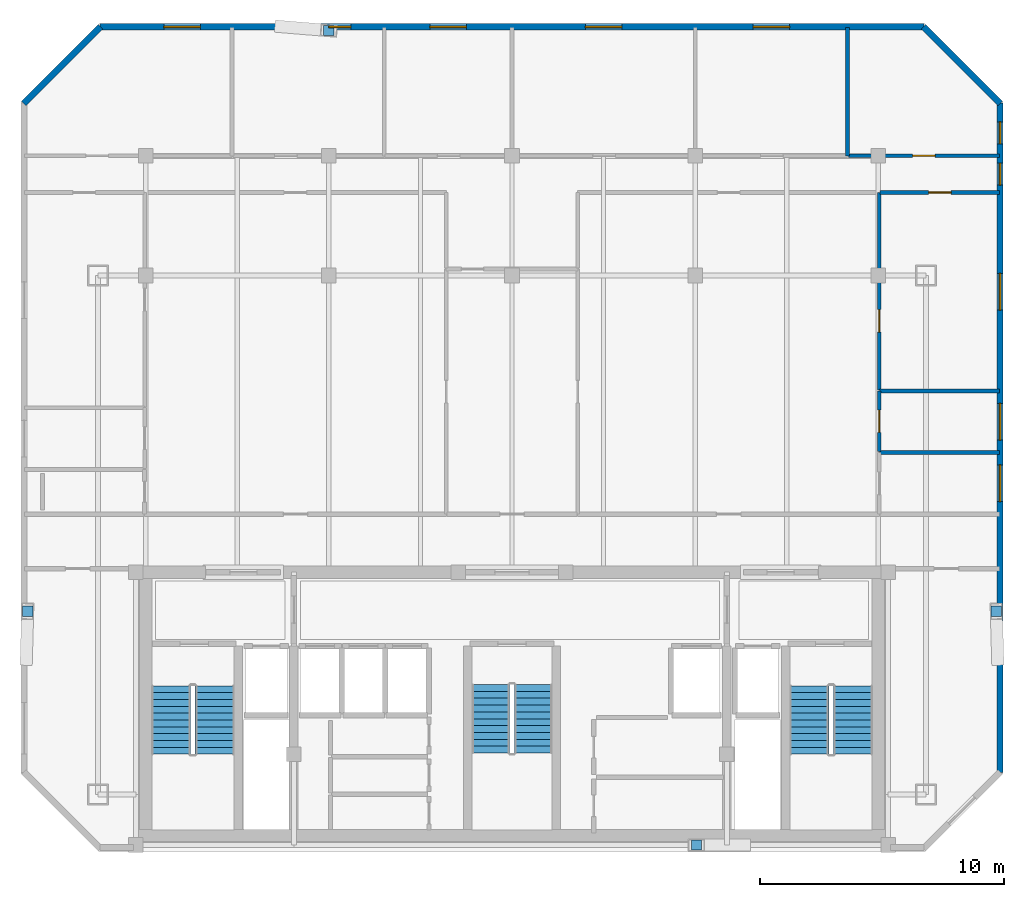
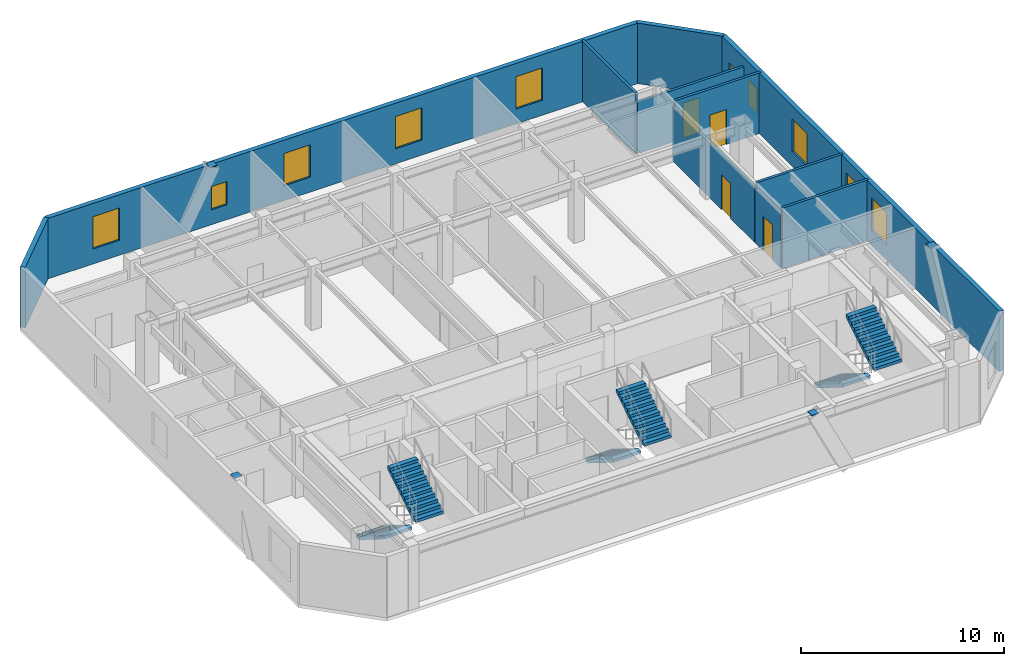
# One storey, part 5 of 6: 11 walls, 10 windows, 6 stair flights, 4 discrete accessories, 4 doors, 14 openings, 3 elements without a shape of their own.
"""IFC4 building model written with IfcOpenShell, lengths in metres."""

import ifcopenshell
import ifcopenshell.guid

model = None  # the IFC model being written
_history = None  # IfcOwnerHistory: only IFC2X3 demands one
_inside = {}  # id of a spatial element -> (the spatial element, [elements in it])
_under = {}  # id of a project, library or spatial element -> (it, [spatial elements below it])
_declared = {}  # id of a project -> (the project, [libraries it declares])
_typed = {}  # id of a type object -> (the type object, [elements of that type])
_made_of = {}  # id of a material, layer set ... -> (it, [elements and type objects made of it])


def new_model(schema):
    """Start an empty IFC model of exactly this schema.

    Asked for "IFC4X3", IfcOpenShell would pick the latest addendum, in which some entities
    have other attributes; the version numbers below select the first issue.
    IFC2X3 requires an IfcOwnerHistory on every rooted entity: one is made here for all.
    """
    global model, _history
    if schema == "IFC4X3":
        model = ifcopenshell.file(schema_version=(4, 3, 0, 0))
    else:
        model = ifcopenshell.file(schema=schema)
    _inside.clear()
    _under.clear()
    _declared.clear()
    _typed.clear()
    _made_of.clear()
    _history = None
    if model.schema == "IFC2X3":
        org = make("IfcOrganization", Name="unknown")
        user = make(
            "IfcPersonAndOrganization",
            ThePerson=make("IfcPerson", FamilyName="unknown"),
            TheOrganization=org,
        )
        app = make(
            "IfcApplication",
            ApplicationDeveloper=org,
            Version="unknown",
            ApplicationFullName="unknown",
            ApplicationIdentifier="unknown",
        )
        _history = make(
            "IfcOwnerHistory",
            OwningUser=user,
            OwningApplication=app,
            ChangeAction="ADDED",
            CreationDate=0,
        )
    return model


def make(cls, **values):
    """One entity of the class cls with the attributes given. An attribute that is None is left unset."""
    return model.create_entity(
        cls, **{name: value for name, value in values.items() if value is not None}
    )


def rooted(cls, **values):
    """An entity with a GlobalId (a new one), such as an element, a storey or a relation."""
    return make(cls, GlobalId=ifcopenshell.guid.new(), OwnerHistory=_history, **values)


def si_unit(unit_type, name, prefix=None):
    """IfcSIUnit, for example si_unit("LENGTHUNIT", "METRE", prefix="MILLI")."""
    return make("IfcSIUnit", UnitType=unit_type, Prefix=prefix, Name=name)


def assignment(units):
    """IfcUnitAssignment: the units of a project."""
    return None if units is None else make("IfcUnitAssignment", Units=units)


def point(xyz):
    """IfcCartesianPoint."""
    return None if xyz is None else make("IfcCartesianPoint", Coordinates=xyz)


def direction(xyz):
    """IfcDirection."""
    return None if xyz is None else make("IfcDirection", DirectionRatios=xyz)


def frame(location, z_axis=None, x_axis=None):
    """IfcAxis2Placement3D, a coordinate frame: its origin and axes. An axis left out is left unset."""
    return make(
        "IfcAxis2Placement3D",
        Location=point(location),
        Axis=direction(z_axis),
        RefDirection=direction(x_axis),
    )


def frame_2d(location, x_axis=None):
    """IfcAxis2Placement2D, a coordinate frame in the plane: its origin and x axis."""
    return make(
        "IfcAxis2Placement2D", Location=point(location), RefDirection=direction(x_axis)
    )


def origin():
    """The frame at (0, 0, 0) with its axes left unset."""
    return frame((0.0, 0.0, 0.0))


def origin_2d():
    """The frame at (0, 0) in the plane with its x axis left unset."""
    return frame_2d((0.0, 0.0))


def place(relative_to, where):
    """IfcLocalPlacement: puts the frame where relative to a parent placement (None: the world)."""
    return make(
        "IfcLocalPlacement", PlacementRelTo=relative_to, RelativePlacement=where
    )


def context(
    kind, dimensions, precision=None, world=None, true_north=None, identifier=None
):
    """IfcGeometricRepresentationContext, for example the 3D "Model" context."""
    return make(
        "IfcGeometricRepresentationContext",
        ContextIdentifier=identifier,
        ContextType=kind,
        CoordinateSpaceDimension=dimensions,
        Precision=precision,
        WorldCoordinateSystem=world,
        TrueNorth=true_north,
    )


def subcontext(parent, identifier, kind, view, scale=None):
    """IfcGeometricRepresentationSubContext, for example "Body" below "Model"."""
    return make(
        "IfcGeometricRepresentationSubContext",
        ContextIdentifier=identifier,
        ContextType=kind,
        ParentContext=parent,
        TargetScale=scale,
        TargetView=view,
    )


def project(units=None, contexts=None):
    """IfcProject with its units and contexts."""
    return rooted(
        "IfcProject",
        Name="project",
        RepresentationContexts=contexts,
        UnitsInContext=assignment(units),
    )


def spatial(cls, under=None, at=None, **own):
    """A site, building, storey or space (cls), placed at a placement, below another one or the project."""
    s = rooted(cls, ObjectPlacement=at, **own)
    if under is not None:
        _under.setdefault(under.id(), (under, []))[1].append(s)
    return s


def polyline(points):
    """IfcPolyline through the points."""
    return make("IfcPolyline", Points=[point(p) for p in points])


def profile(cls, at=None, kind="AREA", **sizes):
    """A parametric profile (cls). Its sizes go by their IFC names, for example OverallWidth=200.0."""
    return make(cls, ProfileType=kind, Position=at, **sizes)


def rectangle(**sizes):
    """IfcRectangleProfileDef."""
    return profile("IfcRectangleProfileDef", **sizes)


def outline(outer, holes=None, kind="AREA"):
    """IfcArbitraryClosedProfileDef: a profile drawn as a closed curve; with holes, ...WithVoids."""
    if holes is None:
        return make("IfcArbitraryClosedProfileDef", ProfileType=kind, OuterCurve=outer)
    return make(
        "IfcArbitraryProfileDefWithVoids",
        ProfileType=kind,
        OuterCurve=outer,
        InnerCurves=holes,
    )


def extrude(swept, where, along, depth):
    """IfcExtrudedAreaSolid: the profile swept, set in the frame where, extruded along a direction by depth."""
    return make(
        "IfcExtrudedAreaSolid",
        SweptArea=swept,
        Position=where,
        ExtrudedDirection=direction(along),
        Depth=depth,
    )


def shape(context_of_items, identifier, shape_type, items):
    """IfcShapeRepresentation: the items that make up one representation, for example the "Body"."""
    return make(
        "IfcShapeRepresentation",
        ContextOfItems=context_of_items,
        RepresentationIdentifier=identifier,
        RepresentationType=shape_type,
        Items=items,
    )


def material(Name=None, Category=None):
    """IfcMaterial."""
    return make("IfcMaterial", Name=Name, Category=Category)


def layer(
    of_material, thickness, ventilated=None, Name=None, Category=None, Priority=None
):
    """IfcMaterialLayer: one layer of a wall or slab, of a material (None: an air gap)."""
    return make(
        "IfcMaterialLayer",
        Material=of_material,
        LayerThickness=thickness,
        IsVentilated=ventilated,
        Name=Name,
        Category=Category,
        Priority=Priority,
    )


def layer_set(layers, Name=None):
    """IfcMaterialLayerSet."""
    return make("IfcMaterialLayerSet", MaterialLayers=layers, LayerSetName=Name)


def made_of(thing, what):
    """Note that an element or type object is made of a material, layer set ...; save() writes the relation."""
    if what is not None:
        _made_of.setdefault(what.id(), (what, []))[1].append(thing)
    return thing


def type_object(cls, material=None, **own):
    """A type object (cls), such as IfcWallType, which elements share."""
    return made_of(rooted(cls, **own), material)


def element(
    cls,
    number,
    at=None,
    inside=None,
    cuts=None,
    type_object=None,
    material=None,
    context=None,
    identifier="Body",
    shape_type=None,
    held_by="IfcProductDefinitionShape",
    body=None,
    shapes=None,
    **own,
):
    """One element of the class cls, such as IfcWall. Its Tag is "e" and its number.

    at: its placement. inside: the storey or other place that contains it. cuts: it is an
    opening in that element (IfcRelVoidsElement). A single representation is given by context,
    identifier, shape_type and body (its items); several are given by shapes. held_by: the class
    of the entity that holds the representations. save() writes the other relations.
    """
    e = rooted(cls, Tag="e%d" % number, ObjectPlacement=at, **own)
    if body is not None:
        shapes = [shape(context, identifier, shape_type, body)]
    if shapes is not None:
        e.Representation = make(held_by, Representations=shapes)
    if inside is not None:
        _inside.setdefault(inside.id(), (inside, []))[1].append(e)
    if cuts is not None:
        rooted(
            "IfcRelVoidsElement", RelatingBuildingElement=cuts, RelatedOpeningElement=e
        )
    if type_object is not None:
        _typed.setdefault(type_object.id(), (type_object, []))[1].append(e)
    return made_of(e, material)


def fill(opening, filler):
    """IfcRelFillsElement: the door or window that sits in an opening."""
    return rooted(
        "IfcRelFillsElement",
        RelatingOpeningElement=opening,
        RelatedBuildingElement=filler,
    )


def aggregate(whole, parts):
    """IfcRelAggregates: a whole, such as a stair, and the parts it consists of."""
    return rooted("IfcRelAggregates", RelatingObject=whole, RelatedObjects=parts)


def save(model, path):
    """Write the relations noted so far, then the file.

    IfcRelAggregates (storeys below a building ...), IfcRelContainedInSpatialStructure (elements
    in a storey), IfcRelDefinesByType, IfcRelAssociatesMaterial and IfcRelDeclares: one each for
    every whole, place, type object, material and project.
    """
    for whole, parts in _under.values():
        aggregate(whole, parts)
    for where, things in _inside.values():
        rooted(
            "IfcRelContainedInSpatialStructure",
            RelatedElements=things,
            RelatingStructure=where,
        )
    for kind, things in _typed.values():
        rooted("IfcRelDefinesByType", RelatedObjects=things, RelatingType=kind)
    for what, things in _made_of.values():
        rooted("IfcRelAssociatesMaterial", RelatedObjects=things, RelatingMaterial=what)
    for by, libraries in _declared.values():
        rooted("IfcRelDeclares", RelatingContext=by, RelatedDefinitions=libraries)
    model.write(path)


model = new_model("IFC4")

# Units and contexts
model_context = context("Model", 3, precision=1e-05, world=origin(), true_north=direction((0.0, 1.0)))
body_context = subcontext(model_context, "Body", "Model", "MODEL_VIEW")
ifc_project = project(units=[si_unit("LENGTHUNIT", "METRE"), si_unit("AREAUNIT", "SQUARE_METRE"), si_unit("VOLUMEUNIT", "CUBIC_METRE"), si_unit("PLANEANGLEUNIT", "RADIAN"), si_unit("MASSUNIT", "GRAM", prefix="KILO")], contexts=[model_context])

# Site, building, storey
site_placement = place(None, origin())
site = spatial("IfcSite", under=ifc_project, at=site_placement, CompositionType="ELEMENT")
building_placement = place(site_placement, origin())
building = spatial("IfcBuilding", under=site, at=building_placement, Name="Ventersveld Concourse Tower", CompositionType="ELEMENT")
storey_placement = place(building_placement, frame((0.0, 0.0, 296.449951171875)))
storey = spatial("IfcBuildingStorey", under=building, at=storey_placement, Name="L73", CompositionType="ELEMENT", Elevation=296.449951171875)

# Wall, opening, door
ifc_material_1 = material(Name="Autoclaved aerated masonry blockwork", Category="masonry")
ifc_layer_1 = layer(ifc_material_1, 0.14990234375)
ifc_layer_set_1 = layer_set([ifc_layer_1], Name="Autoclaved aerated masonry blockwork")
wall_type_1 = type_object("IfcWallType", Name="WL-INT-150", PredefinedType="PARTITIONING", material=ifc_layer_set_1)
wall_1_placement = place(storey_placement, frame((43.79248046875, 16.386474609375, 0.0), z_axis=(0.0, 0.0, 1.0), x_axis=(0.0, 1.0, 0.0)))
wall_1 = element("IfcWall", 1, at=wall_1_placement, inside=storey, type_object=wall_type_1, Name="L73 Interior Partition SP-L73-73N1-EGAL1-SP-L73-73N1-PANR3", PredefinedType="PARTITIONING", context=body_context, shape_type="SweptSolid", body=[
    extrude(rectangle(XDim=2.491455078125, YDim=0.14990234375, at=frame_2d((1.24560546875, 0.0))), origin(), (0.0, 0.0, 1.0), 3.295166015625),
])
opening_1_placement = place(wall_1_placement, frame((0.78564453125, 0.0, 0.0)))
opening_1 = element("IfcOpeningElement", 2, at=opening_1_placement, cuts=wall_1, Name="Opening ID1", PredefinedType="OPENING", context=body_context, shape_type="SweptSolid", body=[
    extrude(rectangle(XDim=0.919921875, YDim=2.10009765625, at=frame_2d((0.4599609375, 1.050048828125))), frame((0.0, 0.0849609375, 0.0), z_axis=(0.0, -1.0, 0.0), x_axis=(1.0, 0.0, 0.0)), (0.0, 0.0, 1.0), 0.169921875),
])
ifc_material_2 = material(Name="Solid-core hardwood veneer timber", Category="wood")
door_type = type_object("IfcDoorType", Name="DR-ROOM-092", OperationType="NOTDEFINED", PredefinedType="DOOR", material=ifc_material_2)
door_1_placement = place(opening_1_placement, origin())
door_1 = element("IfcDoor", 3, at=door_1_placement, inside=storey, type_object=door_type, Name="L73 Interior Door SP-L73-73N1-EGAL1 to SP-L73-73N1-PANR3 (D-L73-3393)", OperationType="SINGLE_SWING_LEFT", OverallHeight=2.10009765625, OverallWidth=0.919921875, PredefinedType="DOOR", context=body_context, shape_type="SweptSolid", body=[
    extrude(rectangle(XDim=0.919921875, YDim=2.10009765625, at=frame_2d((0.4599609375, 1.050048828125))), frame((0.0, 0.02490234375, 0.0), z_axis=(0.0, -1.0, 0.0), x_axis=(1.0, 0.0, 0.0)), (0.0, 0.0, 1.0), 0.050048828125),
])
fill(opening_1, door_1)

wall_2_placement = place(storey_placement, frame((43.79248046875, 18.907958984375, 0.0), z_axis=(0.0, 0.0, 1.0), x_axis=(0.0, 1.0, 0.0)))
wall_2 = element("IfcWall", 4, at=wall_2_placement, inside=storey, type_object=wall_type_1, Name="L73 Interior Partition SP-L73-73N1-EGAL1-SP-L73-73N1-OFFR1", PredefinedType="PARTITIONING", context=body_context, shape_type="SweptSolid", body=[
    extrude(rectangle(XDim=8.096923828125, YDim=0.14990234375, at=frame_2d((4.04833984375, 0.0))), origin(), (0.0, 0.0, 1.0), 3.295166015625),
])
opening_2_placement = place(wall_2_placement, frame((2.373779296875, 0.0, 0.0)))
opening_2 = element("IfcOpeningElement", 5, at=opening_2_placement, cuts=wall_2, Name="Opening ID1", PredefinedType="OPENING", context=body_context, shape_type="SweptSolid", body=[
    extrude(rectangle(XDim=0.919921875, YDim=2.10009765625, at=frame_2d((0.4599609375, 1.050048828125))), frame((0.0, 0.0849609375, 0.0), z_axis=(0.0, -1.0, 0.0), x_axis=(1.0, 0.0, 0.0)), (0.0, 0.0, 1.0), 0.169921875),
])
door_2_placement = place(opening_2_placement, origin())
door_2 = element("IfcDoor", 6, at=door_2_placement, inside=storey, type_object=door_type, Name="L73 Interior Door SP-L73-73N1-EGAL1 to SP-L73-73N1-OFFR1 (D-L73-3394)", OperationType="SINGLE_SWING_RIGHT", OverallHeight=2.10009765625, OverallWidth=0.919921875, PredefinedType="DOOR", context=body_context, shape_type="SweptSolid", body=[
    extrude(rectangle(XDim=0.919921875, YDim=2.10009765625, at=frame_2d((0.4599609375, 1.050048828125))), frame((0.0, 0.02490234375, 0.0), z_axis=(0.0, -1.0, 0.0), x_axis=(1.0, 0.0, 0.0)), (0.0, 0.0, 1.0), 0.050048828125),
])
fill(opening_2, door_2)

wall_3_placement = place(storey_placement, frame((43.827392578125, 27.0, 0.0), z_axis=(0.0, 0.0, 1.0), x_axis=(1.0, 0.0, 0.0)))
wall_3 = element("IfcWall", 7, at=wall_3_placement, inside=storey, type_object=wall_type_1, Name="L73 Interior Partition SP-L73-73N1-LIV-SP-L73-73N1-OFFR1", PredefinedType="PARTITIONING", context=body_context, shape_type="SweptSolid", body=[
    extrude(rectangle(XDim=4.885498046875, YDim=0.14990234375, at=frame_2d((2.44287109375, 0.0))), origin(), (0.0, 0.0, 1.0), 3.650146484375),
])
opening_3_placement = place(wall_3_placement, frame((1.98291015625, 0.0, 0.0)))
opening_3 = element("IfcOpeningElement", 8, at=opening_3_placement, cuts=wall_3, Name="Opening ID1", PredefinedType="OPENING", context=body_context, shape_type="SweptSolid", body=[
    extrude(rectangle(XDim=0.919921875, YDim=2.10009765625, at=frame_2d((0.4599609375, 1.050048828125))), frame((0.0, 0.0849609375, 0.0), z_axis=(0.0, -1.0, 0.0), x_axis=(1.0, 0.0, 0.0)), (0.0, 0.0, 1.0), 0.169921875),
])
door_3_placement = place(opening_3_placement, origin())
door_3 = element("IfcDoor", 9, at=door_3_placement, inside=storey, type_object=door_type, Name="L73 Interior Door SP-L73-73N1-LIV to SP-L73-73N1-OFFR1 (D-L73-3397)", OperationType="SINGLE_SWING_LEFT", OverallHeight=2.10009765625, OverallWidth=0.919921875, PredefinedType="DOOR", context=body_context, shape_type="SweptSolid", body=[
    extrude(rectangle(XDim=0.919921875, YDim=2.10009765625, at=frame_2d((0.4599609375, 1.050048828125))), frame((0.0, 0.02490234375, 0.0), z_axis=(0.0, -1.0, 0.0), x_axis=(1.0, 0.0, 0.0)), (0.0, 0.0, 1.0), 0.050048828125),
])
fill(opening_3, door_3)

wall_4_placement = place(storey_placement, frame((42.52392578125, 28.5, 0.0), z_axis=(0.0, 0.0, 1.0), x_axis=(1.0, 0.0, 0.0)))
wall_4 = element("IfcWall", 10, at=wall_4_placement, inside=storey, type_object=wall_type_1, Name="L73 Interior Partition SP-L73-73N1-LIV-SP-L73-73N1-BR6", PredefinedType="PARTITIONING", context=body_context, shape_type="SweptSolid", body=[
    extrude(rectangle(XDim=6.18896484375, YDim=0.14990234375, at=frame_2d((3.094482421875, 0.0))), origin(), (0.0, 0.0, 1.0), 3.116943359375),
])
opening_4_placement = place(wall_4_placement, frame((2.634521484375, 0.0, 0.0)))
opening_4 = element("IfcOpeningElement", 11, at=opening_4_placement, cuts=wall_4, Name="Opening ID1", PredefinedType="OPENING", context=body_context, shape_type="SweptSolid", body=[
    extrude(rectangle(XDim=0.919921875, YDim=2.10009765625, at=frame_2d((0.4599609375, 1.050048828125))), frame((0.0, 0.0849609375, 0.0), z_axis=(0.0, -1.0, 0.0), x_axis=(1.0, 0.0, 0.0)), (0.0, 0.0, 1.0), 0.169921875),
])
door_4_placement = place(opening_4_placement, origin())
door_4 = element("IfcDoor", 12, at=door_4_placement, inside=storey, type_object=door_type, Name="L73 Interior Door SP-L73-73N1-LIV to SP-L73-73N1-BR6 (D-L73-3403)", OperationType="SINGLE_SWING_LEFT", OverallHeight=2.10009765625, OverallWidth=0.919921875, PredefinedType="DOOR", context=body_context, shape_type="SweptSolid", body=[
    extrude(rectangle(XDim=0.919921875, YDim=2.10009765625, at=frame_2d((0.4599609375, 1.050048828125))), frame((0.0, 0.02490234375, 0.0), z_axis=(0.0, -1.0, 0.0), x_axis=(1.0, 0.0, 0.0)), (0.0, 0.0, 1.0), 0.050048828125),
])
fill(opening_4, door_4)

# Walls
for number, where, z_axis, x_axis, name in (
    (13, (43.78759765625, 16.3515625, 0.0), (0.0, 0.0, 1.0), (1.0, 0.0, 0.0), "L73 Interior Partition SP-L73-73N1-KIT-SP-L73-73N1-PANR3"),
    (14, (43.78759765625, 18.873046875, 0.0), (0.0, 0.0, 1.0), (1.0, 0.0, 0.0), "L73 Interior Partition SP-L73-73N1-PANR3-SP-L73-73N1-OFFR1"),
):
    element("IfcWall", number, at=place(storey_placement, frame(where, z_axis=z_axis, x_axis=x_axis)), inside=storey, type_object=wall_type_1, Name=name, PredefinedType="PARTITIONING", context=body_context, shape_type="SweptSolid", body=[
        extrude(rectangle(XDim=4.92529296875, YDim=0.14990234375, at=frame_2d((2.462646484375, 0.0))), origin(), (0.0, 0.0, 1.0), 3.650146484375),
    ])
wall_5_placement = place(storey_placement, frame((42.489013671875, 28.4951171875, 0.0), z_axis=(0.0, 0.0, 1.0), x_axis=(0.0, 1.0, 0.0)))
element("IfcWall", 15, at=wall_5_placement, inside=storey, type_object=wall_type_1, Name="L73 Interior Partition SP-L73-73N1-BR5-SP-L73-73N1-BR6", PredefinedType="PARTITIONING", context=body_context, shape_type="SweptSolid", body=[
    extrude(rectangle(XDim=5.265380859375, YDim=0.14990234375, at=frame_2d((2.6328125, 0.0))), origin(), (0.0, 0.0, 1.0), 3.650146484375),
])

# Wall, openings, windows
ifc_material_3 = material(Name="Precast concrete C45/55", Category="concrete")
ifc_layer_2 = layer(ifc_material_3, 0.260009765625)
ifc_layer_set_2 = layer_set([ifc_layer_2], Name="Precast concrete C45/55")
wall_type_2 = type_object("IfcWallType", Name="WL-PREC-260", PredefinedType="SOLIDWALL", material=ifc_layer_set_2)
wall_6_placement = place(storey_placement, frame((48.732421875, 3.239990234375, 0.0), z_axis=(0.0, 0.0, 1.0), x_axis=(0.0, 1.0, 0.0)))
wall_6 = element("IfcWall", 16, at=wall_6_placement, inside=storey, type_object=wall_type_2, Name="L73 Highveld Precast Facade Wall E03", PredefinedType="SOLIDWALL", context=body_context, shape_type="SweptSolid", body=[
    extrude(rectangle(XDim=27.429931640625, YDim=0.260009765625, at=frame_2d((13.71484375, 0.0))), origin(), (0.0, 0.0, 1.0), 3.650146484375),
])
opening_5_placement = place(wall_6_placement, frame((24.06005859375, 0.0, 0.949951171875)))
opening_5 = element("IfcOpeningElement", 17, at=opening_5_placement, cuts=wall_6, Name="Opening W4", PredefinedType="OPENING", context=body_context, shape_type="SweptSolid", body=[
    extrude(rectangle(XDim=0.89990234375, YDim=1.5, at=frame_2d((0.449951171875, 0.75))), frame((0.0, 0.14013671875, 0.0), z_axis=(0.0, -1.0, 0.0), x_axis=(1.0, 0.0, 0.0)), (0.0, 0.0, 1.0), 0.280029296875),
])
opening_6_placement = place(wall_6_placement, frame((11.100830078125, 0.0, 0.89990234375)))
opening_6 = element("IfcOpeningElement", 18, at=opening_6_placement, cuts=wall_6, Name="Opening W1", PredefinedType="OPENING", context=body_context, shape_type="SweptSolid", body=[
    extrude(rectangle(XDim=1.5, YDim=1.949951171875, at=frame_2d((0.75, 0.97509765625))), frame((0.0, 0.14013671875, 0.0), z_axis=(0.0, -1.0, 0.0), x_axis=(1.0, 0.0, 0.0)), (0.0, 0.0, 1.0), 0.280029296875),
])
opening_7_placement = place(wall_6_placement, frame((13.622314453125, 0.0, 0.89990234375)))
opening_7 = element("IfcOpeningElement", 19, at=opening_7_placement, cuts=wall_6, Name="Opening W1", PredefinedType="OPENING", context=body_context, shape_type="SweptSolid", body=[
    extrude(rectangle(XDim=1.5, YDim=1.949951171875, at=frame_2d((0.75, 0.97509765625))), frame((0.0, 0.14013671875, 0.0), z_axis=(0.0, -1.0, 0.0), x_axis=(1.0, 0.0, 0.0)), (0.0, 0.0, 1.0), 0.280029296875),
])
opening_8_placement = place(wall_6_placement, frame((18.946533203125, 0.0, 0.89990234375)))
opening_8 = element("IfcOpeningElement", 20, at=opening_8_placement, cuts=wall_6, Name="Opening W1", PredefinedType="OPENING", context=body_context, shape_type="SweptSolid", body=[
    extrude(rectangle(XDim=1.5, YDim=1.949951171875, at=frame_2d((0.75, 0.97509765625))), frame((0.0, 0.14013671875, 0.0), z_axis=(0.0, -1.0, 0.0), x_axis=(1.0, 0.0, 0.0)), (0.0, 0.0, 1.0), 0.280029296875),
])
opening_9_placement = place(wall_6_placement, frame((25.75, 0.0, 0.949951171875)))
opening_9 = element("IfcOpeningElement", 21, at=opening_9_placement, cuts=wall_6, Name="Opening W4", PredefinedType="OPENING", context=body_context, shape_type="SweptSolid", body=[
    extrude(rectangle(XDim=0.89990234375, YDim=1.5, at=frame_2d((0.449951171875, 0.75))), frame((0.0, 0.14013671875, 0.0), z_axis=(0.0, -1.0, 0.0), x_axis=(1.0, 0.0, 0.0)), (0.0, 0.0, 1.0), 0.280029296875),
])
ifc_material_4 = material(Name="Tempered acoustic Low-E IGU", Category="glass")
window_type_1 = type_object("IfcWindowType", Name="WIN-090x150", PartitioningType="SINGLE_PANEL", PredefinedType="WINDOW", material=ifc_material_4)
window_1_placement = place(opening_5_placement, origin())
window_1 = element("IfcWindow", 22, at=window_1_placement, inside=storey, type_object=window_type_1, Name="L73 Punched Low-E Window W-1037", OverallHeight=1.5, OverallWidth=0.89990234375, PartitioningType="SINGLE_PANEL", PredefinedType="WINDOW", context=body_context, shape_type="SweptSolid", body=[
    extrude(rectangle(XDim=0.89990234375, YDim=1.5, at=frame_2d((0.449951171875, 0.75))), frame((0.0, 0.030029296875, 0.0), z_axis=(0.0, -1.0, 0.0), x_axis=(1.0, 0.0, 0.0)), (0.0, 0.0, 1.0), 0.06005859375),
])
fill(opening_5, window_1)
window_2_placement = place(opening_9_placement, origin())
window_2 = element("IfcWindow", 23, at=window_2_placement, inside=storey, type_object=window_type_1, Name="L73 Punched Low-E Window W-1048", OverallHeight=1.5, OverallWidth=0.89990234375, PartitioningType="SINGLE_PANEL", PredefinedType="WINDOW", context=body_context, shape_type="SweptSolid", body=[
    extrude(rectangle(XDim=0.89990234375, YDim=1.5, at=frame_2d((0.449951171875, 0.75))), frame((0.0, 0.030029296875, 0.0), z_axis=(0.0, -1.0, 0.0), x_axis=(1.0, 0.0, 0.0)), (0.0, 0.0, 1.0), 0.06005859375),
])
fill(opening_9, window_2)
window_type_2 = type_object("IfcWindowType", Name="WIN-150x210", PartitioningType="SINGLE_PANEL", PredefinedType="WINDOW", material=ifc_material_4)
window_3_placement = place(opening_6_placement, origin())
window_3 = element("IfcWindow", 24, at=window_3_placement, inside=storey, type_object=window_type_2, Name="L73 Punched Low-E Window W-1040", OverallHeight=1.949951171875, OverallWidth=1.5, PartitioningType="SINGLE_PANEL", PredefinedType="WINDOW", context=body_context, shape_type="SweptSolid", body=[
    extrude(rectangle(XDim=1.5, YDim=1.949951171875, at=frame_2d((0.75, 0.97509765625))), frame((0.0, 0.030029296875, 0.0), z_axis=(0.0, -1.0, 0.0), x_axis=(1.0, 0.0, 0.0)), (0.0, 0.0, 1.0), 0.06005859375),
])
fill(opening_6, window_3)
window_4_placement = place(opening_7_placement, origin())
window_4 = element("IfcWindow", 25, at=window_4_placement, inside=storey, type_object=window_type_2, Name="L73 Punched Low-E Window W-1041", OverallHeight=1.949951171875, OverallWidth=1.5, PartitioningType="SINGLE_PANEL", PredefinedType="WINDOW", context=body_context, shape_type="SweptSolid", body=[
    extrude(rectangle(XDim=1.5, YDim=1.949951171875, at=frame_2d((0.75, 0.97509765625))), frame((0.0, 0.030029296875, 0.0), z_axis=(0.0, -1.0, 0.0), x_axis=(1.0, 0.0, 0.0)), (0.0, 0.0, 1.0), 0.06005859375),
])
fill(opening_7, window_4)
window_5_placement = place(opening_8_placement, origin())
window_5 = element("IfcWindow", 26, at=window_5_placement, inside=storey, type_object=window_type_2, Name="L73 Punched Low-E Window W-1042", OverallHeight=1.949951171875, OverallWidth=1.5, PartitioningType="SINGLE_PANEL", PredefinedType="WINDOW", context=body_context, shape_type="SweptSolid", body=[
    extrude(rectangle(XDim=1.5, YDim=1.949951171875, at=frame_2d((0.75, 0.97509765625))), frame((0.0, 0.030029296875, 0.0), z_axis=(0.0, -1.0, 0.0), x_axis=(1.0, 0.0, 0.0)), (0.0, 0.0, 1.0), 0.06005859375),
])
fill(opening_8, window_5)

# Wall
wall_7_placement = place(storey_placement, frame((48.7421875, 30.646484375, 0.0), z_axis=(0.0, 0.0, 1.0), x_axis=(-0.707106781187, 0.707106781187, 0.0)))
element("IfcWall", 27, at=wall_7_placement, inside=storey, type_object=wall_type_2, Name="L73 Highveld Precast Facade Wall E04", PredefinedType="SOLIDWALL", context=body_context, shape_type="SweptSolid", body=[
    extrude(rectangle(XDim=4.4453125, YDim=0.260009765625, at=frame_2d((2.22265625, 0.0))), origin(), (0.0, 0.0, 1.0), 3.650146484375),
])

# Wall, openings, windows
wall_8_placement = place(storey_placement, frame((45.62255859375, 33.780029296875, 0.0), z_axis=(0.0, 0.0, 1.0), x_axis=(-1.0, 0.0, 0.0)))
wall_8 = element("IfcWall", 28, at=wall_8_placement, inside=storey, type_object=wall_type_2, Name="L73 Highveld Precast Facade Wall E05", PredefinedType="SOLIDWALL", context=body_context, shape_type="SweptSolid", body=[
    extrude(rectangle(XDim=33.7451171875, YDim=0.260009765625, at=frame_2d((16.87255859375, 0.0))), origin(), (0.0, 0.0, 1.0), 3.650146484375),
])
opening_10_placement = place(wall_8_placement, frame((29.62744140625, 0.0, 0.89990234375)))
opening_10 = element("IfcOpeningElement", 29, at=opening_10_placement, cuts=wall_8, Name="Opening W1", PredefinedType="OPENING", context=body_context, shape_type="SweptSolid", body=[
    extrude(rectangle(XDim=1.5, YDim=1.949951171875, at=frame_2d((0.75, 0.97509765625))), frame((0.0, 0.14013671875, 0.0), z_axis=(0.0, -1.0, 0.0), x_axis=(1.0, 0.0, 0.0)), (0.0, 0.0, 1.0), 0.280029296875),
])
opening_11_placement = place(wall_8_placement, frame((23.473388671875, 0.0, 0.89990234375)))
opening_11 = element("IfcOpeningElement", 30, at=opening_11_placement, cuts=wall_8, Name="Opening W8", PredefinedType="OPENING", context=body_context, shape_type="SweptSolid", body=[
    extrude(rectangle(XDim=0.89990234375, YDim=1.39990234375, at=frame_2d((0.449951171875, 0.699951171875))), frame((0.0, 0.14013671875, 0.0), z_axis=(0.0, -1.0, 0.0), x_axis=(1.0, 0.0, 0.0)), (0.0, 0.0, 1.0), 0.280029296875),
])
opening_12_placement = place(wall_8_placement, frame((18.737060546875, 0.0, 0.89990234375)))
opening_12 = element("IfcOpeningElement", 31, at=opening_12_placement, cuts=wall_8, Name="Opening W1", PredefinedType="OPENING", context=body_context, shape_type="SweptSolid", body=[
    extrude(rectangle(XDim=1.5, YDim=1.949951171875, at=frame_2d((0.75, 0.97509765625))), frame((0.0, 0.14013671875, 0.0), z_axis=(0.0, -1.0, 0.0), x_axis=(1.0, 0.0, 0.0)), (0.0, 0.0, 1.0), 0.280029296875),
])
opening_13_placement = place(wall_8_placement, frame((12.37255859375, 0.0, 0.89990234375)))
opening_13 = element("IfcOpeningElement", 32, at=opening_13_placement, cuts=wall_8, Name="Opening W1", PredefinedType="OPENING", context=body_context, shape_type="SweptSolid", body=[
    extrude(rectangle(XDim=1.5, YDim=1.949951171875, at=frame_2d((0.75, 0.97509765625))), frame((0.0, 0.14013671875, 0.0), z_axis=(0.0, -1.0, 0.0), x_axis=(1.0, 0.0, 0.0)), (0.0, 0.0, 1.0), 0.280029296875),
])
opening_14_placement = place(wall_8_placement, frame((5.503173828125, 0.0, 0.89990234375)))
opening_14 = element("IfcOpeningElement", 33, at=opening_14_placement, cuts=wall_8, Name="Opening W1", PredefinedType="OPENING", context=body_context, shape_type="SweptSolid", body=[
    extrude(rectangle(XDim=1.5, YDim=1.949951171875, at=frame_2d((0.75, 0.97509765625))), frame((0.0, 0.14013671875, 0.0), z_axis=(0.0, -1.0, 0.0), x_axis=(1.0, 0.0, 0.0)), (0.0, 0.0, 1.0), 0.280029296875),
])
window_type_3 = type_object("IfcWindowType", Name="WIN-090x140", PartitioningType="SINGLE_PANEL", PredefinedType="WINDOW", material=ifc_material_4)
window_6_placement = place(opening_11_placement, origin())
window_6 = element("IfcWindow", 34, at=window_6_placement, inside=storey, type_object=window_type_3, Name="L73 Punched Low-E Window W-1044", OverallHeight=1.39990234375, OverallWidth=0.89990234375, PartitioningType="SINGLE_PANEL", PredefinedType="WINDOW", context=body_context, shape_type="SweptSolid", body=[
    extrude(rectangle(XDim=0.89990234375, YDim=1.39990234375, at=frame_2d((0.449951171875, 0.699951171875))), frame((0.0, 0.030029296875, 0.0), z_axis=(0.0, -1.0, 0.0), x_axis=(1.0, 0.0, 0.0)), (0.0, 0.0, 1.0), 0.06005859375),
])
fill(opening_11, window_6)
window_7_placement = place(opening_10_placement, origin())
window_7 = element("IfcWindow", 35, at=window_7_placement, inside=storey, type_object=window_type_2, Name="L73 Punched Low-E Window W-1043", OverallHeight=1.949951171875, OverallWidth=1.5, PartitioningType="SINGLE_PANEL", PredefinedType="WINDOW", context=body_context, shape_type="SweptSolid", body=[
    extrude(rectangle(XDim=1.5, YDim=1.949951171875, at=frame_2d((0.75, 0.97509765625))), frame((0.0, 0.030029296875, 0.0), z_axis=(0.0, -1.0, 0.0), x_axis=(1.0, 0.0, 0.0)), (0.0, 0.0, 1.0), 0.06005859375),
])
fill(opening_10, window_7)
window_8_placement = place(opening_12_placement, origin())
window_8 = element("IfcWindow", 36, at=window_8_placement, inside=storey, type_object=window_type_2, Name="L73 Punched Low-E Window W-1045", OverallHeight=1.949951171875, OverallWidth=1.5, PartitioningType="SINGLE_PANEL", PredefinedType="WINDOW", context=body_context, shape_type="SweptSolid", body=[
    extrude(rectangle(XDim=1.5, YDim=1.949951171875, at=frame_2d((0.75, 0.97509765625))), frame((0.0, 0.030029296875, 0.0), z_axis=(0.0, -1.0, 0.0), x_axis=(1.0, 0.0, 0.0)), (0.0, 0.0, 1.0), 0.06005859375),
])
fill(opening_12, window_8)
window_9_placement = place(opening_13_placement, origin())
window_9 = element("IfcWindow", 37, at=window_9_placement, inside=storey, type_object=window_type_2, Name="L73 Punched Low-E Window W-1046", OverallHeight=1.949951171875, OverallWidth=1.5, PartitioningType="SINGLE_PANEL", PredefinedType="WINDOW", context=body_context, shape_type="SweptSolid", body=[
    extrude(rectangle(XDim=1.5, YDim=1.949951171875, at=frame_2d((0.75, 0.97509765625))), frame((0.0, 0.030029296875, 0.0), z_axis=(0.0, -1.0, 0.0), x_axis=(1.0, 0.0, 0.0)), (0.0, 0.0, 1.0), 0.06005859375),
])
fill(opening_13, window_9)
window_10_placement = place(opening_14_placement, origin())
window_10 = element("IfcWindow", 38, at=window_10_placement, inside=storey, type_object=window_type_2, Name="L73 Punched Low-E Window W-1047", OverallHeight=1.949951171875, OverallWidth=1.5, PartitioningType="SINGLE_PANEL", PredefinedType="WINDOW", context=body_context, shape_type="SweptSolid", body=[
    extrude(rectangle(XDim=1.5, YDim=1.949951171875, at=frame_2d((0.75, 0.97509765625))), frame((0.0, 0.030029296875, 0.0), z_axis=(0.0, -1.0, 0.0), x_axis=(1.0, 0.0, 0.0)), (0.0, 0.0, 1.0), 0.06005859375),
])
fill(opening_14, window_10)

# Wall
wall_9_placement = place(storey_placement, frame((11.901123046875, 33.789794921875, 0.0), z_axis=(0.0, 0.0, 1.0), x_axis=(-0.707106781187, -0.707106781187, 0.0)))
element("IfcWall", 39, at=wall_9_placement, inside=storey, type_object=wall_type_2, Name="L73 Highveld Precast Facade Wall E06", PredefinedType="SOLIDWALL", context=body_context, shape_type="SweptSolid", body=[
    extrude(rectangle(XDim=4.4453125, YDim=0.260009765625, at=frame_2d((2.22265625, 0.0))), origin(), (0.0, 0.0, 1.0), 3.650146484375),
])

# Stair, stair flights
ifc_material_5 = material(Name="Concrete C50/60", Category="concrete")
stair_type_1 = type_object("IfcStairType", Name="ST-DOG-155", PredefinedType="HALF_TURN_STAIR", material=ifc_material_5)
stair_1_placement = place(storey_placement, origin())
stair_1 = element("IfcStair", 40, at=stair_1_placement, inside=storey, type_object=stair_type_1, Name="L73 Protected Central Core Escape Stair ST-03", PredefinedType="HALF_TURN_STAIR")
stair_flight_type_1 = type_object("IfcStairFlightType", Name="STF-RC-155", PredefinedType="STRAIGHT", material=ifc_material_5)
stair_flight_1_placement = place(storey_placement, frame((27.875, 6.85009765625, 0.0), z_axis=(0.0, 0.0, 1.0), x_axis=(0.0, -1.0, 0.0)))
stair_flight_1 = element("IfcStairFlight", 41, at=stair_flight_1_placement, type_object=stair_flight_type_1, Name="ST-03 flight 1", NumberOfRisers=11, NumberOfTreads=10, PredefinedType="STRAIGHT", RiserHeight=0.175, TreadLength=0.28, context=body_context, shape_type="SweptSolid", body=[
    extrude(outline(polyline([(0.0, 0.0), (0.0, 0.175048828125), (0.280029296875, 0.175048828125), (0.280029296875, 0.35009765625), (0.56005859375, 0.35009765625), (0.56005859375, 0.52490234375), (0.840087890625, 0.52490234375), (0.840087890625, 0.699951171875), (1.1201171875, 0.699951171875), (1.1201171875, 0.875), (1.39990234375, 0.875), (1.39990234375, 1.050048828125), (1.679931640625, 1.050048828125), (1.679931640625, 1.22509765625), (1.9599609375, 1.22509765625), (1.9599609375, 1.39990234375), (2.239990234375, 1.39990234375), (2.239990234375, 1.574951171875), (2.52001953125, 1.574951171875), (2.52001953125, 1.75), (2.800048828125, 1.75), (2.800048828125, 1.925048828125), (2.800048828125, 1.5732421875), (0.28271484375, 0.0), (0.0, 0.0)])), frame((0.0, 0.77490234375, 0.0), z_axis=(0.0, -1.0, 0.0), x_axis=(1.0, 0.0, 0.0)), (0.0, 0.0, 1.0), 1.550048828125),
])
stair_flight_2_placement = place(storey_placement, frame((29.625, 4.050048828125, 1.925048828125), z_axis=(0.0, 0.0, 1.0), x_axis=(0.0, 1.0, 0.0)))
stair_flight_2 = element("IfcStairFlight", 42, at=stair_flight_2_placement, type_object=stair_flight_type_1, Name="ST-03 flight 2", NumberOfRisers=11, NumberOfTreads=10, PredefinedType="STRAIGHT", RiserHeight=0.175, TreadLength=0.28, context=body_context, shape_type="SweptSolid", body=[
    extrude(outline(polyline([(0.0, 0.0), (0.0, 0.175048828125), (0.280029296875, 0.175048828125), (0.280029296875, 0.35009765625), (0.56005859375, 0.35009765625), (0.56005859375, 0.52490234375), (0.840087890625, 0.52490234375), (0.840087890625, 0.699951171875), (1.1201171875, 0.699951171875), (1.1201171875, 0.875), (1.39990234375, 0.875), (1.39990234375, 1.050048828125), (1.679931640625, 1.050048828125), (1.679931640625, 1.22509765625), (1.9599609375, 1.22509765625), (1.9599609375, 1.39990234375), (2.239990234375, 1.39990234375), (2.239990234375, 1.574951171875), (2.52001953125, 1.574951171875), (2.52001953125, 1.75), (2.800048828125, 1.75), (2.800048828125, 1.925048828125), (2.800048828125, 1.5732421875), (0.28271484375, 0.0), (0.0, 0.0)])), frame((0.0, 0.77490234375, 0.0), z_axis=(0.0, -1.0, 0.0), x_axis=(1.0, 0.0, 0.0)), (0.0, 0.0, 1.0), 1.550048828125),
])
aggregate(stair_1, [stair_flight_1, stair_flight_2])

stair_type_2 = type_object("IfcStairType", Name="ST-DOG-160", PredefinedType="HALF_TURN_STAIR", material=ifc_material_5)
stair_2_placement = place(storey_placement, origin())
stair_2 = element("IfcStair", 43, at=stair_2_placement, inside=storey, type_object=stair_type_2, Name="L73 Protected Tower Escape Stair ST-01", PredefinedType="HALF_TURN_STAIR")
stair_flight_type_2 = type_object("IfcStairFlightType", Name="STF-RC-160", PredefinedType="STRAIGHT", material=ifc_material_5)
stair_flight_3_placement = place(storey_placement, frame((14.780029296875, 6.800048828125, 0.0), z_axis=(0.0, 0.0, 1.0), x_axis=(0.0, -1.0, 0.0)))
stair_flight_3 = element("IfcStairFlight", 44, at=stair_flight_3_placement, type_object=stair_flight_type_2, Name="ST-01 flight 1", NumberOfRisers=11, NumberOfTreads=10, PredefinedType="STRAIGHT", RiserHeight=0.175, TreadLength=0.28, context=body_context, shape_type="SweptSolid", body=[
    extrude(outline(polyline([(0.0, 0.0), (0.0, 0.175048828125), (0.280029296875, 0.175048828125), (0.280029296875, 0.35009765625), (0.56005859375, 0.35009765625), (0.56005859375, 0.52490234375), (0.840087890625, 0.52490234375), (0.840087890625, 0.699951171875), (1.1201171875, 0.699951171875), (1.1201171875, 0.875), (1.39990234375, 0.875), (1.39990234375, 1.050048828125), (1.679931640625, 1.050048828125), (1.679931640625, 1.22509765625), (1.9599609375, 1.22509765625), (1.9599609375, 1.39990234375), (2.239990234375, 1.39990234375), (2.239990234375, 1.574951171875), (2.52001953125, 1.574951171875), (2.52001953125, 1.75), (2.800048828125, 1.75), (2.800048828125, 1.925048828125), (2.800048828125, 1.5732421875), (0.28271484375, 0.0), (0.0, 0.0)])), frame((0.0, 0.800048828125, 0.0), z_axis=(0.0, -1.0, 0.0), x_axis=(1.0, 0.0, 0.0)), (0.0, 0.0, 1.0), 1.60009765625),
])
stair_flight_4_placement = place(storey_placement, frame((16.580078125, 4.0, 1.925048828125), z_axis=(0.0, 0.0, 1.0), x_axis=(0.0, 1.0, 0.0)))
stair_flight_4 = element("IfcStairFlight", 45, at=stair_flight_4_placement, type_object=stair_flight_type_2, Name="ST-01 flight 2", NumberOfRisers=11, NumberOfTreads=10, PredefinedType="STRAIGHT", RiserHeight=0.175, TreadLength=0.28, context=body_context, shape_type="SweptSolid", body=[
    extrude(outline(polyline([(0.0, 0.0), (0.0, 0.175048828125), (0.280029296875, 0.175048828125), (0.280029296875, 0.35009765625), (0.56005859375, 0.35009765625), (0.56005859375, 0.52490234375), (0.840087890625, 0.52490234375), (0.840087890625, 0.699951171875), (1.1201171875, 0.699951171875), (1.1201171875, 0.875), (1.39990234375, 0.875), (1.39990234375, 1.050048828125), (1.679931640625, 1.050048828125), (1.679931640625, 1.22509765625), (1.9599609375, 1.22509765625), (1.9599609375, 1.39990234375), (2.239990234375, 1.39990234375), (2.239990234375, 1.574951171875), (2.52001953125, 1.574951171875), (2.52001953125, 1.75), (2.800048828125, 1.75), (2.800048828125, 1.925048828125), (2.800048828125, 1.5732421875), (0.28271484375, 0.0), (0.0, 0.0)])), frame((0.0, 0.800048828125, 0.0), z_axis=(0.0, -1.0, 0.0), x_axis=(1.0, 0.0, 0.0)), (0.0, 0.0, 1.0), 1.60009765625),
])
aggregate(stair_2, [stair_flight_3, stair_flight_4])

stair_3_placement = place(storey_placement, origin())
stair_3 = element("IfcStair", 46, at=stair_3_placement, inside=storey, type_object=stair_type_2, Name="L73 Protected Tower Escape Stair ST-02", PredefinedType="HALF_TURN_STAIR")
stair_flight_5_placement = place(storey_placement, frame((40.919921875, 6.800048828125, 0.0), z_axis=(0.0, 0.0, 1.0), x_axis=(0.0, -1.0, 0.0)))
stair_flight_5 = element("IfcStairFlight", 47, at=stair_flight_5_placement, type_object=stair_flight_type_2, Name="ST-02 flight 1", NumberOfRisers=11, NumberOfTreads=10, PredefinedType="STRAIGHT", RiserHeight=0.175, TreadLength=0.28, context=body_context, shape_type="SweptSolid", body=[
    extrude(outline(polyline([(0.0, 0.0), (0.0, 0.175048828125), (0.280029296875, 0.175048828125), (0.280029296875, 0.35009765625), (0.56005859375, 0.35009765625), (0.56005859375, 0.52490234375), (0.840087890625, 0.52490234375), (0.840087890625, 0.699951171875), (1.1201171875, 0.699951171875), (1.1201171875, 0.875), (1.39990234375, 0.875), (1.39990234375, 1.050048828125), (1.679931640625, 1.050048828125), (1.679931640625, 1.22509765625), (1.9599609375, 1.22509765625), (1.9599609375, 1.39990234375), (2.239990234375, 1.39990234375), (2.239990234375, 1.574951171875), (2.52001953125, 1.574951171875), (2.52001953125, 1.75), (2.800048828125, 1.75), (2.800048828125, 1.925048828125), (2.800048828125, 1.5732421875), (0.28271484375, 0.0), (0.0, 0.0)])), frame((0.0, 0.800048828125, 0.0), z_axis=(0.0, -1.0, 0.0), x_axis=(1.0, 0.0, 0.0)), (0.0, 0.0, 1.0), 1.60009765625),
])
stair_flight_6_placement = place(storey_placement, frame((42.719970703125, 4.0, 1.925048828125), z_axis=(0.0, 0.0, 1.0), x_axis=(0.0, 1.0, 0.0)))
stair_flight_6 = element("IfcStairFlight", 48, at=stair_flight_6_placement, type_object=stair_flight_type_2, Name="ST-02 flight 2", NumberOfRisers=11, NumberOfTreads=10, PredefinedType="STRAIGHT", RiserHeight=0.175, TreadLength=0.28, context=body_context, shape_type="SweptSolid", body=[
    extrude(outline(polyline([(0.0, 0.0), (0.0, 0.175048828125), (0.280029296875, 0.175048828125), (0.280029296875, 0.35009765625), (0.56005859375, 0.35009765625), (0.56005859375, 0.52490234375), (0.840087890625, 0.52490234375), (0.840087890625, 0.699951171875), (1.1201171875, 0.699951171875), (1.1201171875, 0.875), (1.39990234375, 0.875), (1.39990234375, 1.050048828125), (1.679931640625, 1.050048828125), (1.679931640625, 1.22509765625), (1.9599609375, 1.22509765625), (1.9599609375, 1.39990234375), (2.239990234375, 1.39990234375), (2.239990234375, 1.574951171875), (2.52001953125, 1.574951171875), (2.52001953125, 1.75), (2.800048828125, 1.75), (2.800048828125, 1.925048828125), (2.800048828125, 1.5732421875), (0.28271484375, 0.0), (0.0, 0.0)])), frame((0.0, 0.800048828125, 0.0), z_axis=(0.0, -1.0, 0.0), x_axis=(1.0, 0.0, 0.0)), (0.0, 0.0, 1.0), 1.60009765625),
])
aggregate(stair_3, [stair_flight_5, stair_flight_6])

# Discrete accessories
ifc_material_6 = material(Name="Structural steel S355J2", Category="steel")
discrete_accessory_type = type_object("IfcDiscreteAccessoryType", Name="CONN-BRACE-ECP1", PredefinedType="BRACKET", material=ifc_material_6)
for number, where, z_axis, x_axis, name in (
    (49, (21.25, 33.6298828125, 3.630126953125), (0.0, 0.0, 1.0), (1.0, 0.0, 0.0), "L73 Steel Brace End Connection Plate ECP1-0471"),
    (50, (36.300048828125, 0.280029296875, 3.630126953125), (0.0, 0.0, 1.0), (1.0, 0.0, 0.0), "L73 Steel Brace End Connection Plate ECP1-0475"),
    (51, (8.91748046875, 9.85009765625, 3.630126953125), (0.0, 0.0, 1.0), (1.0, 0.0, 0.0), "L73 Steel Brace End Connection Plate ECP1-0479"),
    (52, (48.58251953125, 9.85009765625, 3.630126953125), (0.0, 0.0, 1.0), (1.0, 0.0, 0.0), "L73 Steel Brace End Connection Plate ECP1-0483"),
):
    element("IfcDiscreteAccessory", number, at=place(storey_placement, frame(where, z_axis=z_axis, x_axis=x_axis)), inside=storey, type_object=discrete_accessory_type, Name=name, PredefinedType="BRACKET", context=body_context, shape_type="SweptSolid", body=[
        extrude(rectangle(XDim=0.419921875, YDim=0.419921875, at=origin_2d()), origin(), (0.0, 0.0, 1.0), 0.0400390625),
    ])

save(model, "model.ifc")
